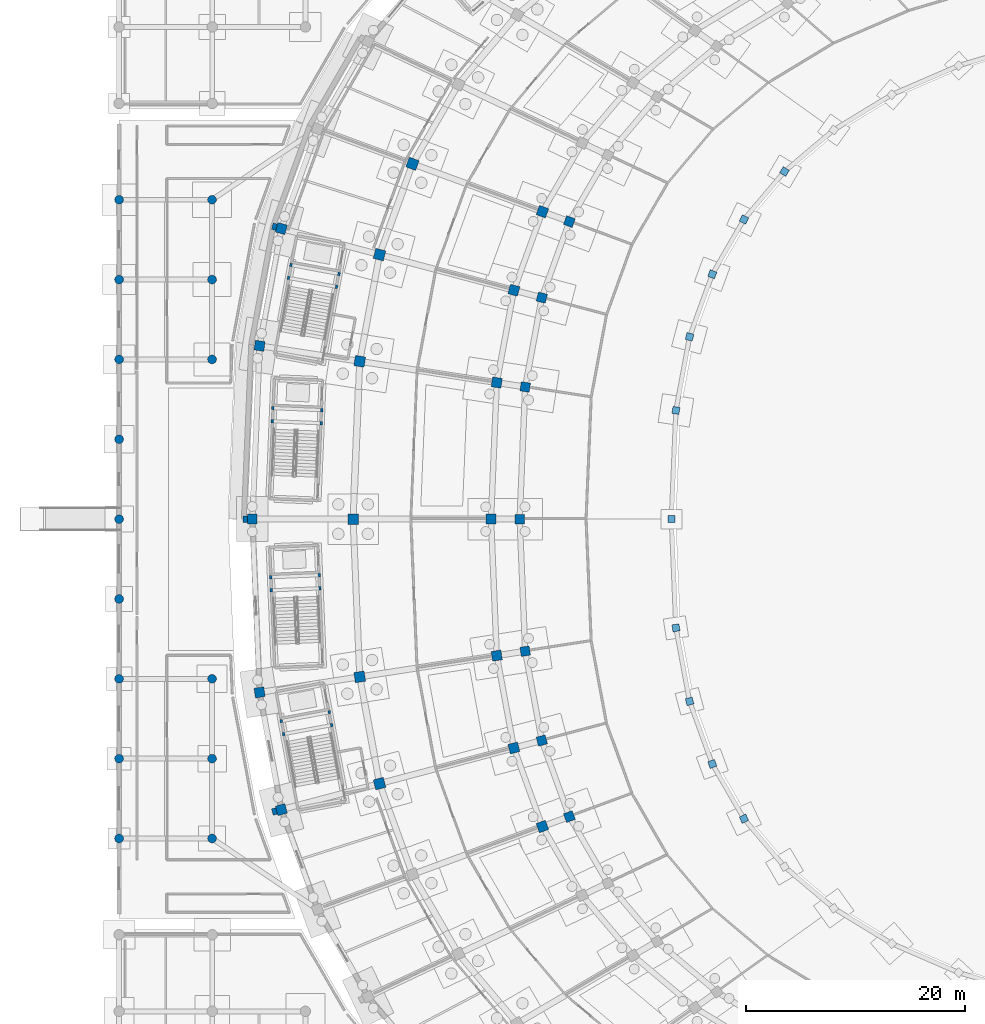
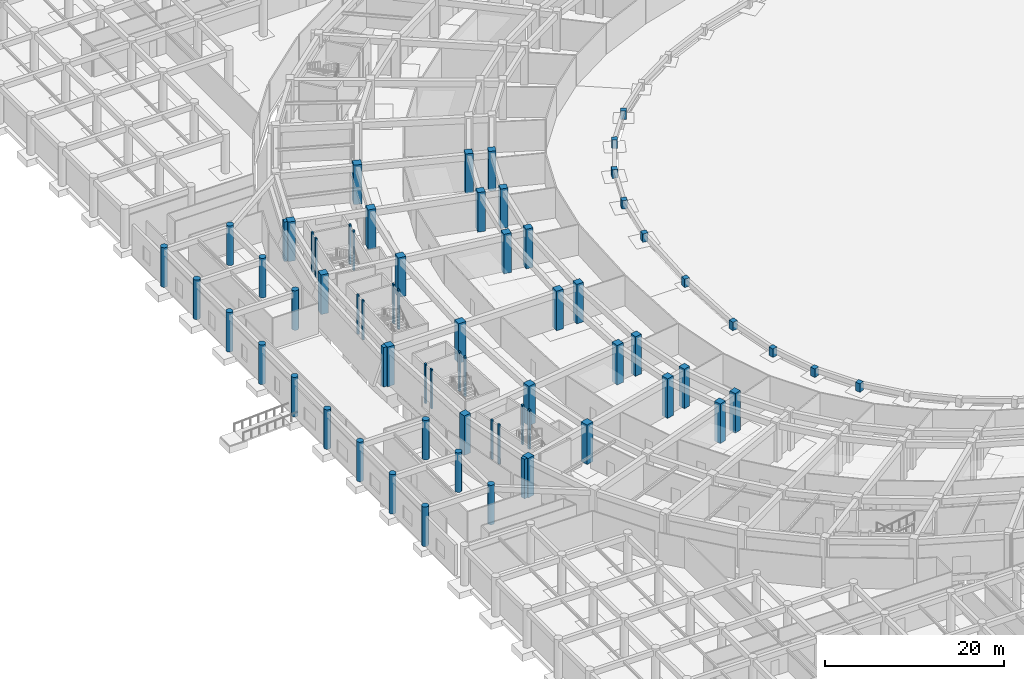
# One storey, part 17 of 88: 69 columns.
"""IFC4 building model written with IfcOpenShell, lengths in metres."""

from ifc_helpers import new_model, si_unit, direction, frame, origin, origin_2d, place, context, subcontext, project, spatial, rectangle, circle, extrude, material, material_profile, profile_set, type_object, element, save


model = new_model("IFC4")

# Units and contexts
model_context = context("Model", 3, precision=1e-05, world=origin(), true_north=direction((0.0, 1.0)))
body_context = subcontext(model_context, "Body", "Model", "MODEL_VIEW")
ifc_project = project(units=[si_unit("LENGTHUNIT", "METRE"), si_unit("AREAUNIT", "SQUARE_METRE"), si_unit("VOLUMEUNIT", "CUBIC_METRE"), si_unit("PLANEANGLEUNIT", "RADIAN"), si_unit("MASSUNIT", "GRAM", prefix="KILO")], contexts=[model_context])

# Site, building, storey
site_placement = place(None, origin())
site = spatial("IfcSite", under=ifc_project, at=site_placement, CompositionType="ELEMENT")
building_placement = place(site_placement, origin())
building = spatial("IfcBuilding", under=site, at=building_placement, Name="Mphavela Belvedere Stadium", CompositionType="ELEMENT")
storey_placement = place(building_placement, origin())
storey = spatial("IfcBuildingStorey", under=building, at=storey_placement, Name="L00", CompositionType="ELEMENT", Elevation=0.0)

# Columns
ifc_material_1 = material(Name="Concrete C40/50", Category="concrete")
ifc_material_profile_1 = material_profile(ifc_material_1, rectangle(XDim=0.300048828125, YDim=0.219970703125, at=origin_2d()), Name="RC 300x220")
ifc_profile_set_1 = profile_set([ifc_material_profile_1], Name="Concrete C40/50")
column_type_1 = type_object("IfcColumnType", Name="COL-CORE-POST-300", PredefinedType="COLUMN", material=ifc_profile_set_1)
for number, where, z_axis, x_axis, name in (
    (1, (19.88623046875, 108.2353515625, 0.0), (0.0, 0.0, 1.0), (0.182578735093, 0.983191235463, 0.0), "Core C06 stair frame column L00-1"),
    (2, (20.105224609375, 109.415283203125, 0.0), (0.0, 0.0, 1.0), (0.182578735093, 0.983191235463, 0.0), "Core C06 stair frame column L00-2"),
    (3, (15.71044921875, 110.231201171875, 0.0), (0.0, 0.0, 1.0), (0.182578735093, 0.983191235463, 0.0), "Core C06 stair frame column L00-3"),
    (4, (15.491455078125, 109.051513671875, 0.0), (0.0, 0.0, 1.0), (0.182578735093, 0.983191235463, 0.0), "Core C06 stair frame column L00-4"),
    (5, (18.47021484375, 95.76318359375, 0.0), (0.0, 0.0, 1.0), (0.041875653729, 0.999122830099, 0.0), "Core C07 stair frame column L00-1"),
    (6, (18.5205078125, 96.96240234375, 0.0), (0.0, 0.0, 1.0), (0.041875653729, 0.999122830099, 0.0), "Core C07 stair frame column L00-2"),
    (7, (14.05419921875, 97.1494140625, 0.0), (0.0, 0.0, 1.0), (0.041875653729, 0.999122830099, 0.0), "Core C07 stair frame column L00-3"),
    (8, (14.004150390625, 95.950439453125, 0.0), (0.0, 0.0, 1.0), (0.041875653729, 0.999122830099, 0.0), "Core C07 stair frame column L00-4"),
    (9, (18.367919921875, 80.674560546875, 0.0), (0.0, 0.0, 1.0), (-0.041875653729, 0.999122830099, 0.0), "Core C08 stair frame column L00-1"),
    (10, (18.317626953125, 81.87353515625, 0.0), (0.0, 0.0, 1.0), (-0.041875653729, 0.999122830099, 0.0), "Core C08 stair frame column L00-2"),
    (11, (13.8515625, 81.686279296875, 0.0), (0.0, 0.0, 1.0), (-0.041875653729, 0.999122830099, 0.0), "Core C08 stair frame column L00-3"),
    (12, (13.90185546875, 80.4873046875, 0.0), (0.0, 0.0, 1.0), (-0.041875653729, 0.999122830099, 0.0), "Core C08 stair frame column L00-4"),
    (13, (19.440673828125, 68.16357421875, 0.0), (0.0, 0.0, 1.0), (-0.182578735093, 0.983191235463, 0.0), "Core C09 stair frame column L00-1"),
    (14, (19.2216796875, 69.343505859375, 0.0), (0.0, 0.0, 1.0), (-0.182578735093, 0.983191235463, 0.0), "Core C09 stair frame column L00-2"),
    (15, (14.82666015625, 68.52734375, 0.0), (0.0, 0.0, 1.0), (-0.182578735093, 0.983191235463, 0.0), "Core C09 stair frame column L00-3"),
    (16, (15.0458984375, 67.347412109375, 0.0), (0.0, 0.0, 1.0), (-0.182578735093, 0.983191235463, 0.0), "Core C09 stair frame column L00-4"),
):
    element("IfcColumn", number, at=place(storey_placement, frame(where, z_axis=z_axis, x_axis=x_axis)), inside=storey, type_object=column_type_1, Name=name, PredefinedType="COLUMN", context=body_context, shape_type="SweptSolid", body=[
        extrude(rectangle(XDim=0.300048828125, YDim=0.219970703125, at=origin_2d()), origin(), (0.0, 0.0, 1.0), 5.39990234375),
    ])
ifc_material_2 = material(Name="Concrete C40/50", Category="concrete")
ifc_material_profile_2 = material_profile(ifc_material_2, circle(Radius=0.39990234375, at=origin_2d()), Name="COL D800")
ifc_profile_set_2 = profile_set([ifc_material_profile_2], Name="Concrete C40/50")
column_type_2 = type_object("IfcColumnType", Name="COL-PERISTYLE-800", PredefinedType="COLUMN", material=ifc_profile_set_2)
for number, where, z_axis, x_axis, name in (
    (17, (0.0, 57.800048828125, 0.0), (0.0, 0.0, 1.0), (1.0, 0.0, 0.0), "West Planted Eaves Peristyle Colonnade classical column L00 1-2"),
    (18, (0.0, 65.10009765625, 0.0), (0.0, 0.0, 1.0), (1.0, 0.0, 0.0), "West Planted Eaves Peristyle Colonnade classical column L00 1-3"),
    (19, (0.0, 72.39990234375, 0.0), (0.0, 0.0, 1.0), (1.0, 0.0, 0.0), "West Planted Eaves Peristyle Colonnade classical column L00 1-4"),
    (20, (0.0, 79.699951171875, 0.0), (0.0, 0.0, 1.0), (1.0, 0.0, 0.0), "West Planted Eaves Peristyle Colonnade classical column L00 1-5"),
    (21, (0.0, 87.0, 0.0), (0.0, 0.0, 1.0), (1.0, 0.0, 0.0), "West Planted Eaves Peristyle Colonnade classical column L00 1-6"),
    (22, (0.0, 94.300048828125, 0.0), (0.0, 0.0, 1.0), (1.0, 0.0, 0.0), "West Planted Eaves Peristyle Colonnade classical column L00 1-7"),
    (23, (0.0, 101.60009765625, 0.0), (0.0, 0.0, 1.0), (1.0, 0.0, 0.0), "West Planted Eaves Peristyle Colonnade classical column L00 1-8"),
    (24, (0.0, 108.89990234375, 0.0), (0.0, 0.0, 1.0), (1.0, 0.0, 0.0), "West Planted Eaves Peristyle Colonnade classical column L00 1-9"),
    (25, (0.0, 116.199951171875, 0.0), (0.0, 0.0, 1.0), (1.0, 0.0, 0.0), "West Planted Eaves Peristyle Colonnade classical column L00 1-10"),
    (26, (8.5, 57.800048828125, 0.0), (0.0, 0.0, 1.0), (1.0, 0.0, 0.0), "West Planted Eaves Peristyle Colonnade classical column L00 2-2"),
    (27, (8.5, 65.10009765625, 0.0), (0.0, 0.0, 1.0), (1.0, 0.0, 0.0), "West Planted Eaves Peristyle Colonnade classical column L00 2-3"),
    (28, (8.5, 72.39990234375, 0.0), (0.0, 0.0, 1.0), (1.0, 0.0, 0.0), "West Planted Eaves Peristyle Colonnade classical column L00 2-4"),
    (29, (8.5, 101.60009765625, 0.0), (0.0, 0.0, 1.0), (1.0, 0.0, 0.0), "West Planted Eaves Peristyle Colonnade classical column L00 2-8"),
    (30, (8.5, 108.89990234375, 0.0), (0.0, 0.0, 1.0), (1.0, 0.0, 0.0), "West Planted Eaves Peristyle Colonnade classical column L00 2-9"),
    (31, (8.5, 116.199951171875, 0.0), (0.0, 0.0, 1.0), (1.0, 0.0, 0.0), "West Planted Eaves Peristyle Colonnade classical column L00 2-10"),
):
    element("IfcColumn", number, at=place(storey_placement, frame(where, z_axis=z_axis, x_axis=x_axis)), inside=storey, type_object=column_type_2, Name=name, PredefinedType="COLUMN", context=body_context, shape_type="SweptSolid", body=[
        extrude(circle(Radius=0.39990234375, at=origin_2d()), origin(), (0.0, 0.0, 1.0), 5.39990234375),
    ])
ifc_material_3 = material(Name="Concrete C40/50", Category="concrete")
ifc_material_profile_3 = material_profile(ifc_material_3, rectangle(XDim=0.64990234375, YDim=0.64990234375, at=origin_2d()), Name="RC 650x650")
ifc_profile_set_3 = profile_set([ifc_material_profile_3], Name="Concrete C40/50")
column_type_3 = type_object("IfcColumnType", Name="COL-RC650", PredefinedType="COLUMN", material=ifc_profile_set_3)
for number, where, z_axis, x_axis, name in (
    (32, (60.8349609375, 118.77783203125, 0.0), (0.0, 0.0, 1.0), (-0.862513669207, 0.506033764121, 0.0), "Lower tier plinth column 20"),
    (33, (57.130859375, 114.391357421875, 0.0), (0.0, 0.0, 1.0), (-0.903858661687, 0.4278311813, 0.0), "Lower tier plinth column 21"),
    (34, (54.236572265625, 109.385498046875, 0.0), (0.0, 0.0, 1.0), (-0.938372433776, 0.34562577382, 0.0), "Lower tier plinth column 22"),
    (35, (52.160888671875, 103.664306640625, 0.0), (0.0, 0.0, 1.0), (-0.966600102017, 0.256289373133, 0.0), "Lower tier plinth column 23"),
    (36, (50.911865234375, 96.9404296875, 0.0), (0.0, 0.0, 1.0), (-0.98817491911, 0.153330783737, 0.0), "Lower tier plinth column 24"),
    (37, (50.4951171875, 87.0, 0.0), (0.0, 0.0, 1.0), (-1.0, 0.0, 0.0), "Lower tier plinth column 25"),
    (38, (50.911865234375, 77.0595703125, 0.0), (0.0, 0.0, 1.0), (-0.98817491911, -0.153330783737, 0.0), "Lower tier plinth column 26"),
    (39, (52.160888671875, 70.335693359375, 0.0), (0.0, 0.0, 1.0), (-0.966600102017, -0.256289373133, 0.0), "Lower tier plinth column 27"),
    (40, (54.236572265625, 64.614501953125, 0.0), (0.0, 0.0, 1.0), (-0.938372433776, -0.34562577382, 0.0), "Lower tier plinth column 28"),
    (41, (57.130859375, 59.608642578125, 0.0), (0.0, 0.0, 1.0), (-0.903858661687, -0.4278311813, 0.0), "Lower tier plinth column 29"),
):
    element("IfcColumn", number, at=place(storey_placement, frame(where, z_axis=z_axis, x_axis=x_axis)), inside=storey, type_object=column_type_3, Name=name, PredefinedType="COLUMN", context=body_context, shape_type="SweptSolid", body=[
        extrude(rectangle(XDim=0.64990234375, YDim=0.64990234375, at=origin_2d()), origin(), (0.0, 0.0, 1.0), 1.14990234375),
    ])
ifc_material_4 = material(Name="Concrete C40/50", Category="concrete")
ifc_material_profile_4 = material_profile(ifc_material_4, rectangle(XDim=0.85009765625, YDim=0.85009765625, at=origin_2d()), Name="RC 850x850")
ifc_profile_set_4 = profile_set([ifc_material_profile_4], Name="Concrete C40/50")
column_type_4 = type_object("IfcColumnType", Name="COL-RC850", PredefinedType="COLUMN", material=ifc_profile_set_4)
for number, where, z_axis, x_axis, name in (
    (42, (41.170166015625, 114.19921875, 0.0), (0.0, 0.0, 1.0), (-0.938372433776, 0.34562577382, 0.0), "Inner concourse column L00 R1-22"),
    (43, (38.648193359375, 107.24755859375, 0.0), (0.0, 0.0, 1.0), (-0.966600102017, 0.256289373133, 0.0), "Inner concourse column L00 R1-23"),
    (44, (37.130615234375, 99.078125, 0.0), (0.0, 0.0, 1.0), (-0.98817491911, 0.153330783737, 0.0), "Inner concourse column L00 R1-24"),
    (45, (36.6240234375, 87.0, 0.0), (0.0, 0.0, 1.0), (-1.0, 0.0, 0.0), "Inner concourse column L00 R1-25"),
    (46, (37.130615234375, 74.921875, 0.0), (0.0, 0.0, 1.0), (-0.98817491911, -0.153330783737, 0.0), "Inner concourse column L00 R1-26"),
    (47, (38.648193359375, 66.75244140625, 0.0), (0.0, 0.0, 1.0), (-0.966600102017, -0.256289373133, 0.0), "Inner concourse column L00 R1-27"),
    (48, (41.170166015625, 59.80078125, 0.0), (0.0, 0.0, 1.0), (-0.938372433776, -0.34562577382, 0.0), "Inner concourse column L00 R1-28"),
):
    element("IfcColumn", number, at=place(storey_placement, frame(where, z_axis=z_axis, x_axis=x_axis)), inside=storey, type_object=column_type_4, Name=name, PredefinedType="COLUMN", context=body_context, shape_type="SweptSolid", body=[
        extrude(rectangle(XDim=0.85009765625, YDim=0.85009765625, at=origin_2d()), origin(), (0.0, 0.0, 1.0), 5.39990234375),
    ])
ifc_material_5 = material(Name="Concrete C40/50", Category="concrete")
ifc_material_profile_5 = material_profile(ifc_material_5, rectangle(XDim=0.89990234375, YDim=0.89990234375, at=origin_2d()), Name="RC 900x900")
ifc_profile_set_5 = profile_set([ifc_material_profile_5], Name="Concrete C40/50")
column_type_5 = type_object("IfcColumnType", Name="COL-RC900", PredefinedType="COLUMN", material=ifc_profile_set_5)
for number, where, z_axis, x_axis, name in (
    (49, (38.702880859375, 115.108154296875, 0.0), (0.0, 0.0, 1.0), (-0.938372433776, 0.34562577382, 0.0), "Middle concourse column L00 R2-22"),
    (50, (36.0966796875, 107.92431640625, 0.0), (0.0, 0.0, 1.0), (-0.966600102017, 0.256289373133, 0.0), "Middle concourse column L00 R2-23"),
    (51, (14.83544921875, 113.5625, 0.0), (0.0, 0.0, 1.0), (-0.966600102017, 0.256289373133, 0.0), "Outer colonnade column L00 R4-23"),
    (52, (34.528564453125, 99.481689453125, 0.0), (0.0, 0.0, 1.0), (-0.98817491911, 0.153330783737, 0.0), "Middle concourse column L00 R2-24"),
    (53, (12.844482421875, 102.844970703125, 0.0), (0.0, 0.0, 1.0), (-0.98817491911, 0.153330783737, 0.0), "Outer colonnade column L00 R4-24"),
    (54, (34.0048828125, 87.0, 0.0), (0.0, 0.0, 1.0), (-1.0, 0.0, 0.0), "Middle concourse column L00 R2-25"),
    (55, (12.179931640625, 87.0, 0.0), (0.0, 0.0, 1.0), (-1.0, 0.0, 0.0), "Outer colonnade column L00 R4-25"),
    (56, (34.528564453125, 74.518310546875, 0.0), (0.0, 0.0, 1.0), (-0.98817491911, -0.153330783737, 0.0), "Middle concourse column L00 R2-26"),
    (57, (12.844482421875, 71.155029296875, 0.0), (0.0, 0.0, 1.0), (-0.98817491911, -0.153330783737, 0.0), "Outer colonnade column L00 R4-26"),
    (58, (36.0966796875, 66.07568359375, 0.0), (0.0, 0.0, 1.0), (-0.966600102017, -0.256289373133, 0.0), "Middle concourse column L00 R2-27"),
    (59, (14.83544921875, 60.4375, 0.0), (0.0, 0.0, 1.0), (-0.966600102017, -0.256289373133, 0.0), "Outer colonnade column L00 R4-27"),
    (60, (38.702880859375, 58.891845703125, 0.0), (0.0, 0.0, 1.0), (-0.938372433776, -0.34562577382, 0.0), "Middle concourse column L00 R2-28"),
):
    element("IfcColumn", number, at=place(storey_placement, frame(where, z_axis=z_axis, x_axis=x_axis)), inside=storey, type_object=column_type_5, Name=name, PredefinedType="COLUMN", context=body_context, shape_type="SweptSolid", body=[
        extrude(rectangle(XDim=0.89990234375, YDim=0.89990234375, at=origin_2d()), origin(), (0.0, 0.0, 1.0), 5.39990234375),
    ])
ifc_material_6 = material(Name="Concrete C40/50", Category="concrete")
ifc_material_profile_6 = material_profile(ifc_material_6, rectangle(XDim=0.949951171875, YDim=0.949951171875, at=origin_2d()), Name="RC 950x950")
ifc_profile_set_6 = profile_set([ifc_material_profile_6], Name="Concrete C40/50")
column_type_6 = type_object("IfcColumnType", Name="COL-RC950", PredefinedType="COLUMN", material=ifc_profile_set_6)
for number, where, z_axis, x_axis, name in (
    (61, (26.824462890625, 119.484375, 0.0), (0.0, 0.0, 1.0), (-0.938372433776, 0.34562577382, 0.0), "Main bowl column L00 R3-22"),
    (62, (23.8125, 111.181884765625, 0.0), (0.0, 0.0, 1.0), (-0.966600102017, 0.256289373133, 0.0), "Main bowl column L00 R3-23"),
    (63, (22.0, 101.4248046875, 0.0), (0.0, 0.0, 1.0), (-0.98817491911, 0.153330783737, 0.0), "Main bowl column L00 R3-24"),
    (64, (21.39501953125, 87.0, 0.0), (0.0, 0.0, 1.0), (-1.0, 0.0, 0.0), "Main bowl column L00 R3-25"),
    (65, (22.0, 72.5751953125, 0.0), (0.0, 0.0, 1.0), (-0.98817491911, -0.153330783737, 0.0), "Main bowl column L00 R3-26"),
    (66, (23.8125, 62.818115234375, 0.0), (0.0, 0.0, 1.0), (-0.966600102017, -0.256289373133, 0.0), "Main bowl column L00 R3-27"),
):
    element("IfcColumn", number, at=place(storey_placement, frame(where, z_axis=z_axis, x_axis=x_axis)), inside=storey, type_object=column_type_6, Name=name, PredefinedType="COLUMN", context=body_context, shape_type="SweptSolid", body=[
        extrude(rectangle(XDim=0.949951171875, YDim=0.949951171875, at=origin_2d()), origin(), (0.0, 0.0, 1.0), 5.39990234375),
    ])
ifc_material_7 = material(Name="Concrete C40/50", Category="concrete")
ifc_material_profile_7 = material_profile(ifc_material_7, rectangle(XDim=0.60009765625, YDim=0.39990234375, at=origin_2d()), Name="PIL 600x400")
ifc_profile_set_7 = profile_set([ifc_material_profile_7], Name="Concrete C40/50")
column_type_7 = type_object("IfcColumnType", Name="PIL-FLUTED-600", PredefinedType="PILASTER", material=ifc_profile_set_7)
for number, where, z_axis, x_axis, name in (
    (67, (14.2041015625, 113.72998046875, 0.0), (0.0, 0.0, 1.0), (-0.256289373133, -0.966600102017, 0.0), "Fluted classical pilaster L00-23"),
    (68, (11.527099609375, 87.0, 0.0), (0.0, 0.0, 1.0), (0.0, -1.0, 0.0), "Fluted classical pilaster L00-25"),
    (69, (14.2041015625, 60.27001953125, 0.0), (0.0, 0.0, 1.0), (0.256289373133, -0.966600102017, 0.0), "Fluted classical pilaster L00-27"),
):
    element("IfcColumn", number, at=place(storey_placement, frame(where, z_axis=z_axis, x_axis=x_axis)), inside=storey, type_object=column_type_7, Name=name, PredefinedType="PILASTER", context=body_context, shape_type="SweptSolid", body=[
        extrude(rectangle(XDim=0.60009765625, YDim=0.39990234375, at=origin_2d()), origin(), (0.0, 0.0, 1.0), 5.39990234375),
    ])

save(model, "model.ifc")
